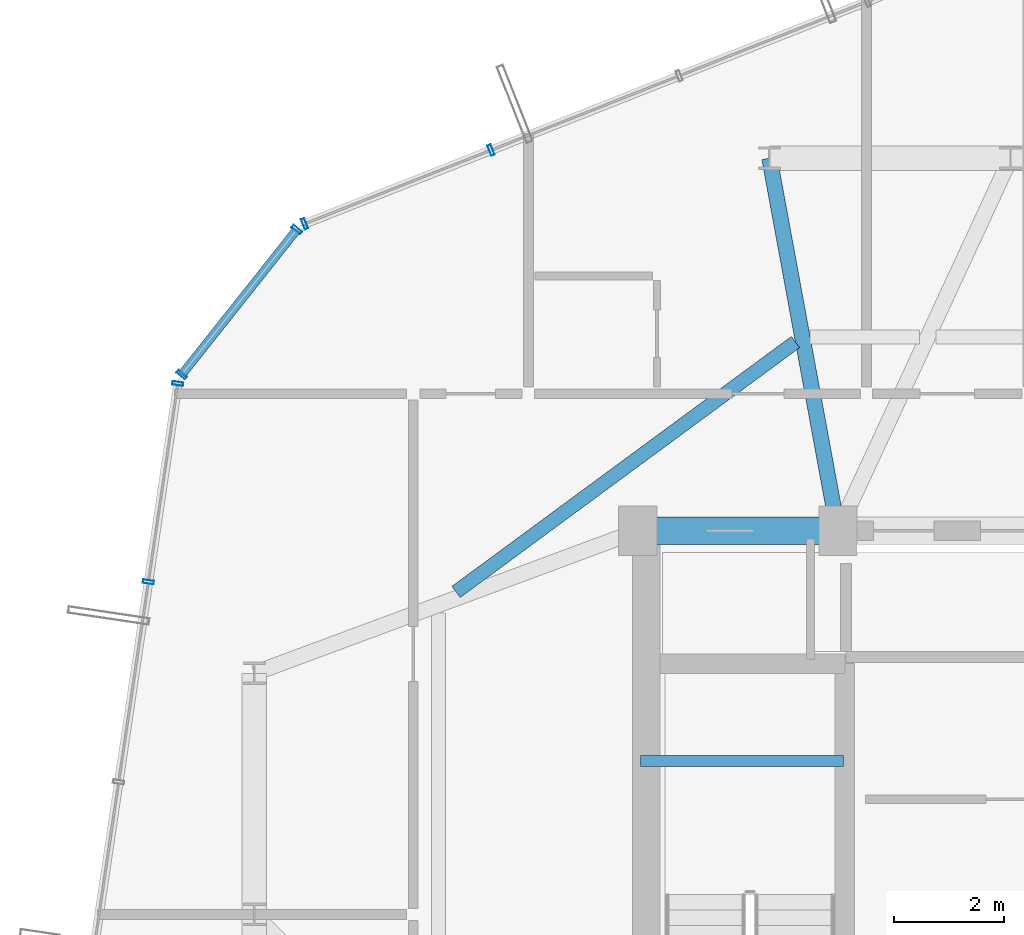
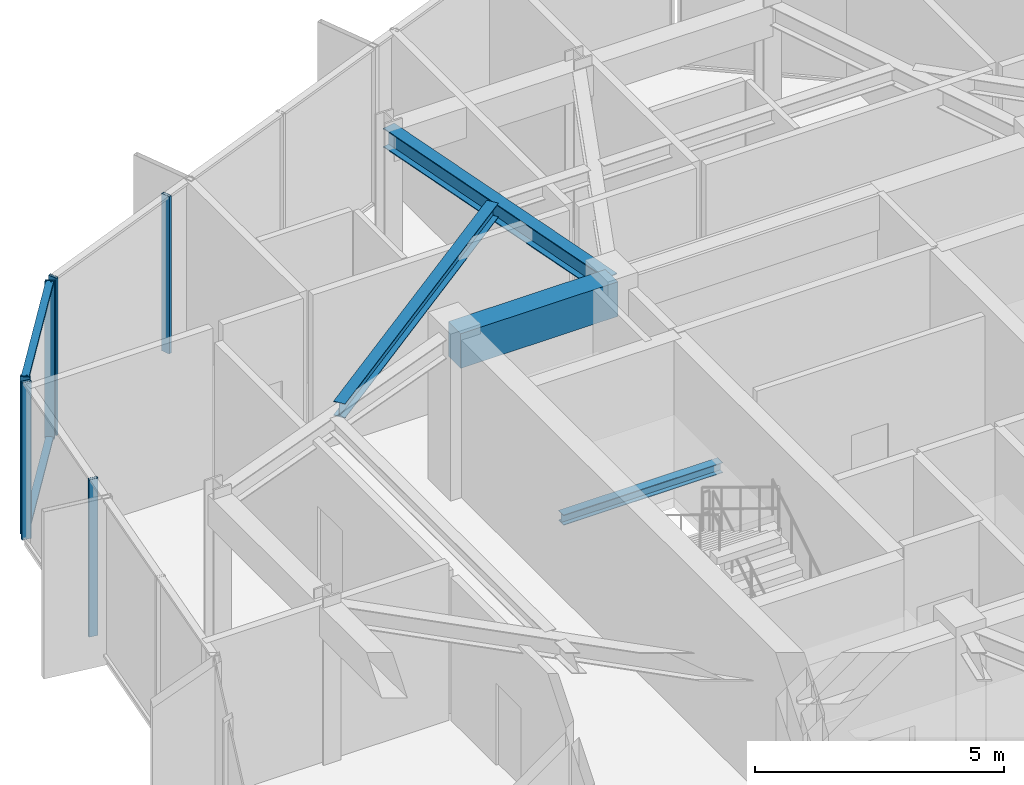
# One storey, part 10 of 22: 8 members, 4 beams, 3 elements without a shape of their own.
"""IFC4 building model written with IfcOpenShell, lengths in metres."""

import ifcopenshell
import ifcopenshell.guid

model = None  # the IFC model being written
_history = None  # IfcOwnerHistory: only IFC2X3 demands one
_inside = {}  # id of a spatial element -> (the spatial element, [elements in it])
_under = {}  # id of a project, library or spatial element -> (it, [spatial elements below it])
_declared = {}  # id of a project -> (the project, [libraries it declares])
_typed = {}  # id of a type object -> (the type object, [elements of that type])
_made_of = {}  # id of a material, layer set ... -> (it, [elements and type objects made of it])


def new_model(schema):
    """Start an empty IFC model of exactly this schema.

    Asked for "IFC4X3", IfcOpenShell would pick the latest addendum, in which some entities
    have other attributes; the version numbers below select the first issue.
    IFC2X3 requires an IfcOwnerHistory on every rooted entity: one is made here for all.
    """
    global model, _history
    if schema == "IFC4X3":
        model = ifcopenshell.file(schema_version=(4, 3, 0, 0))
    else:
        model = ifcopenshell.file(schema=schema)
    _inside.clear()
    _under.clear()
    _declared.clear()
    _typed.clear()
    _made_of.clear()
    _history = None
    if model.schema == "IFC2X3":
        org = make("IfcOrganization", Name="unknown")
        user = make(
            "IfcPersonAndOrganization",
            ThePerson=make("IfcPerson", FamilyName="unknown"),
            TheOrganization=org,
        )
        app = make(
            "IfcApplication",
            ApplicationDeveloper=org,
            Version="unknown",
            ApplicationFullName="unknown",
            ApplicationIdentifier="unknown",
        )
        _history = make(
            "IfcOwnerHistory",
            OwningUser=user,
            OwningApplication=app,
            ChangeAction="ADDED",
            CreationDate=0,
        )
    return model


def make(cls, **values):
    """One entity of the class cls with the attributes given. An attribute that is None is left unset."""
    return model.create_entity(
        cls, **{name: value for name, value in values.items() if value is not None}
    )


def rooted(cls, **values):
    """An entity with a GlobalId (a new one), such as an element, a storey or a relation."""
    return make(cls, GlobalId=ifcopenshell.guid.new(), OwnerHistory=_history, **values)


def si_unit(unit_type, name, prefix=None):
    """IfcSIUnit, for example si_unit("LENGTHUNIT", "METRE", prefix="MILLI")."""
    return make("IfcSIUnit", UnitType=unit_type, Prefix=prefix, Name=name)


def assignment(units):
    """IfcUnitAssignment: the units of a project."""
    return None if units is None else make("IfcUnitAssignment", Units=units)


def point(xyz):
    """IfcCartesianPoint."""
    return None if xyz is None else make("IfcCartesianPoint", Coordinates=xyz)


def direction(xyz):
    """IfcDirection."""
    return None if xyz is None else make("IfcDirection", DirectionRatios=xyz)


def frame(location, z_axis=None, x_axis=None):
    """IfcAxis2Placement3D, a coordinate frame: its origin and axes. An axis left out is left unset."""
    return make(
        "IfcAxis2Placement3D",
        Location=point(location),
        Axis=direction(z_axis),
        RefDirection=direction(x_axis),
    )


def frame_2d(location, x_axis=None):
    """IfcAxis2Placement2D, a coordinate frame in the plane: its origin and x axis."""
    return make(
        "IfcAxis2Placement2D", Location=point(location), RefDirection=direction(x_axis)
    )


def origin():
    """The frame at (0, 0, 0) with its axes left unset."""
    return frame((0.0, 0.0, 0.0))


def origin_2d():
    """The frame at (0, 0) in the plane with its x axis left unset."""
    return frame_2d((0.0, 0.0))


def place(relative_to, where):
    """IfcLocalPlacement: puts the frame where relative to a parent placement (None: the world)."""
    return make(
        "IfcLocalPlacement", PlacementRelTo=relative_to, RelativePlacement=where
    )


def context(
    kind, dimensions, precision=None, world=None, true_north=None, identifier=None
):
    """IfcGeometricRepresentationContext, for example the 3D "Model" context."""
    return make(
        "IfcGeometricRepresentationContext",
        ContextIdentifier=identifier,
        ContextType=kind,
        CoordinateSpaceDimension=dimensions,
        Precision=precision,
        WorldCoordinateSystem=world,
        TrueNorth=true_north,
    )


def subcontext(parent, identifier, kind, view, scale=None):
    """IfcGeometricRepresentationSubContext, for example "Body" below "Model"."""
    return make(
        "IfcGeometricRepresentationSubContext",
        ContextIdentifier=identifier,
        ContextType=kind,
        ParentContext=parent,
        TargetScale=scale,
        TargetView=view,
    )


def project(units=None, contexts=None):
    """IfcProject with its units and contexts."""
    return rooted(
        "IfcProject",
        Name="project",
        RepresentationContexts=contexts,
        UnitsInContext=assignment(units),
    )


def spatial(cls, under=None, at=None, **own):
    """A site, building, storey or space (cls), placed at a placement, below another one or the project."""
    s = rooted(cls, ObjectPlacement=at, **own)
    if under is not None:
        _under.setdefault(under.id(), (under, []))[1].append(s)
    return s


def profile(cls, at=None, kind="AREA", **sizes):
    """A parametric profile (cls). Its sizes go by their IFC names, for example OverallWidth=200.0."""
    return make(cls, ProfileType=kind, Position=at, **sizes)


def rectangle(**sizes):
    """IfcRectangleProfileDef."""
    return profile("IfcRectangleProfileDef", **sizes)


def hollow_rectangle(**sizes):
    """IfcRectangleHollowProfileDef."""
    return profile("IfcRectangleHollowProfileDef", **sizes)


def i_section(**sizes):
    """IfcIShapeProfileDef."""
    return profile("IfcIShapeProfileDef", **sizes)


def extrude(swept, where, along, depth):
    """IfcExtrudedAreaSolid: the profile swept, set in the frame where, extruded along a direction by depth."""
    return make(
        "IfcExtrudedAreaSolid",
        SweptArea=swept,
        Position=where,
        ExtrudedDirection=direction(along),
        Depth=depth,
    )


def shape(context_of_items, identifier, shape_type, items):
    """IfcShapeRepresentation: the items that make up one representation, for example the "Body"."""
    return make(
        "IfcShapeRepresentation",
        ContextOfItems=context_of_items,
        RepresentationIdentifier=identifier,
        RepresentationType=shape_type,
        Items=items,
    )


def source(mapping_origin, context_of_items, identifier, shape_type, items):
    """IfcRepresentationMap: a shape defined once, which mapped items show again and again."""
    return make(
        "IfcRepresentationMap",
        MappingOrigin=mapping_origin,
        MappedRepresentation=shape(context_of_items, identifier, shape_type, items),
    )


def transform(
    local_origin,
    x_axis=None,
    y_axis=None,
    z_axis=None,
    scale=None,
    scale2=None,
    scale3=None,
    uniform=True,
):
    """IfcCartesianTransformationOperator3D, or its non-uniform kind. x_axis, y_axis, z_axis: its Axis1, 2, 3."""
    if uniform:
        return make(
            "IfcCartesianTransformationOperator3D",
            Axis1=direction(x_axis),
            Axis2=direction(y_axis),
            LocalOrigin=point(local_origin),
            Scale=scale,
            Axis3=direction(z_axis),
        )
    return make(
        "IfcCartesianTransformationOperator3DnonUniform",
        Axis1=direction(x_axis),
        Axis2=direction(y_axis),
        LocalOrigin=point(local_origin),
        Scale=scale,
        Axis3=direction(z_axis),
        Scale2=scale2,
        Scale3=scale3,
    )


def mapped(mapping_source, mapping_target):
    """IfcMappedItem: shows the shape of a source again, moved by a transform."""
    return make(
        "IfcMappedItem", MappingSource=mapping_source, MappingTarget=mapping_target
    )


def material(Name=None, Category=None):
    """IfcMaterial."""
    return make("IfcMaterial", Name=Name, Category=Category)


def layer(
    of_material, thickness, ventilated=None, Name=None, Category=None, Priority=None
):
    """IfcMaterialLayer: one layer of a wall or slab, of a material (None: an air gap)."""
    return make(
        "IfcMaterialLayer",
        Material=of_material,
        LayerThickness=thickness,
        IsVentilated=ventilated,
        Name=Name,
        Category=Category,
        Priority=Priority,
    )


def layer_set(layers, Name=None):
    """IfcMaterialLayerSet."""
    return make("IfcMaterialLayerSet", MaterialLayers=layers, LayerSetName=Name)


def material_profile(
    of_material, cross_section, Name=None, Category=None, Priority=None
):
    """IfcMaterialProfile: a cross section and its material."""
    return make(
        "IfcMaterialProfile",
        Name=Name,
        Material=of_material,
        Profile=cross_section,
        Priority=Priority,
        Category=Category,
    )


def profile_set(profiles, Name=None, composite=None):
    """IfcMaterialProfileSet."""
    return make(
        "IfcMaterialProfileSet",
        Name=Name,
        MaterialProfiles=profiles,
        CompositeProfile=composite,
    )


def made_of(thing, what):
    """Note that an element or type object is made of a material, layer set ...; save() writes the relation."""
    if what is not None:
        _made_of.setdefault(what.id(), (what, []))[1].append(thing)
    return thing


def type_object(cls, material=None, **own):
    """A type object (cls), such as IfcWallType, which elements share."""
    return made_of(rooted(cls, **own), material)


def element(
    cls,
    number,
    at=None,
    inside=None,
    cuts=None,
    type_object=None,
    material=None,
    context=None,
    identifier="Body",
    shape_type=None,
    held_by="IfcProductDefinitionShape",
    body=None,
    shapes=None,
    **own,
):
    """One element of the class cls, such as IfcWall. Its Tag is "e" and its number.

    at: its placement. inside: the storey or other place that contains it. cuts: it is an
    opening in that element (IfcRelVoidsElement). A single representation is given by context,
    identifier, shape_type and body (its items); several are given by shapes. held_by: the class
    of the entity that holds the representations. save() writes the other relations.
    """
    e = rooted(cls, Tag="e%d" % number, ObjectPlacement=at, **own)
    if body is not None:
        shapes = [shape(context, identifier, shape_type, body)]
    if shapes is not None:
        e.Representation = make(held_by, Representations=shapes)
    if inside is not None:
        _inside.setdefault(inside.id(), (inside, []))[1].append(e)
    if cuts is not None:
        rooted(
            "IfcRelVoidsElement", RelatingBuildingElement=cuts, RelatedOpeningElement=e
        )
    if type_object is not None:
        _typed.setdefault(type_object.id(), (type_object, []))[1].append(e)
    return made_of(e, material)


def aggregate(whole, parts):
    """IfcRelAggregates: a whole, such as a stair, and the parts it consists of."""
    return rooted("IfcRelAggregates", RelatingObject=whole, RelatedObjects=parts)


def save(model, path):
    """Write the relations noted so far, then the file.

    IfcRelAggregates (storeys below a building ...), IfcRelContainedInSpatialStructure (elements
    in a storey), IfcRelDefinesByType, IfcRelAssociatesMaterial and IfcRelDeclares: one each for
    every whole, place, type object, material and project.
    """
    for whole, parts in _under.values():
        aggregate(whole, parts)
    for where, things in _inside.values():
        rooted(
            "IfcRelContainedInSpatialStructure",
            RelatedElements=things,
            RelatingStructure=where,
        )
    for kind, things in _typed.values():
        rooted("IfcRelDefinesByType", RelatedObjects=things, RelatingType=kind)
    for what, things in _made_of.values():
        rooted("IfcRelAssociatesMaterial", RelatedObjects=things, RelatingMaterial=what)
    for by, libraries in _declared.values():
        rooted("IfcRelDeclares", RelatingContext=by, RelatedDefinitions=libraries)
    model.write(path)


model = new_model("IFC4")

# Units and contexts
model_context = context("Model", 3, precision=1e-05, world=origin(), true_north=direction((0.0, 1.0)))
body_context = subcontext(model_context, "Body", "Model", "MODEL_VIEW")
ifc_project = project(units=[si_unit("LENGTHUNIT", "METRE"), si_unit("AREAUNIT", "SQUARE_METRE"), si_unit("VOLUMEUNIT", "CUBIC_METRE"), si_unit("PLANEANGLEUNIT", "RADIAN"), si_unit("MASSUNIT", "GRAM", prefix="KILO")], contexts=[model_context])

# Site, building, storey
site_placement = place(None, origin())
site = spatial("IfcSite", under=ifc_project, at=site_placement, CompositionType="ELEMENT")
building_placement = place(site_placement, origin())
building = spatial("IfcBuilding", under=site, at=building_placement, Name="Veraguas Prism Commons", CompositionType="ELEMENT")
storey_placement = place(building_placement, frame((0.0, 0.0, 236.550048828125)))
storey = spatial("IfcBuildingStorey", under=building, at=storey_placement, Name="L67", CompositionType="ELEMENT", Elevation=236.550048828125)

# Beams
ifc_material_1 = material(Name="Concrete C50/60", Category="concrete")
ifc_material_profile_1 = material_profile(ifc_material_1, rectangle(XDim=0.5, YDim=0.85009765625, at=origin_2d()), Name="RC500X850")
ifc_profile_set_1 = profile_set([ifc_material_profile_1], Name="Concrete C50/60")
beam_type_1 = type_object("IfcBeamType", Name="Core Coupling Beam RC 500x850", PredefinedType="BEAM", material=ifc_profile_set_1)
beam_1_placement = place(storey_placement, frame((17.199951171875, 31.0, 3.43994140625), z_axis=(1.0, 0.0, 0.0), x_axis=(0.0, 1.0, 0.0)))
element("IfcBeam", 1, at=beam_1_placement, inside=storey, type_object=beam_type_1, Name="Core Coupling Beam L67-CRN1", PredefinedType="BEAM", context=body_context, shape_type="SweptSolid", body=[
    extrude(rectangle(XDim=0.5, YDim=0.85009765625, at=origin_2d()), origin(), (0.0, 0.0, 1.0), 3.650146484375),
])
ifc_material_2 = material(Name="Steel ASTM A992 Grade 50", Category="steel")
ifc_material_profile_2 = material_profile(ifc_material_2, i_section(OverallWidth=0.202880859375, OverallDepth=0.251953125, WebThickness=0.008056640625, FlangeThickness=0.013427734375, at=origin_2d()), Name="W250X58")
ifc_profile_set_2 = profile_set([ifc_material_profile_2], Name="Steel ASTM A992 Grade 50")
beam_type_2 = type_object("IfcBeamType", Name="Structural Opening Lintel W250x58", PredefinedType="LINTEL", material=ifc_profile_set_2)
beam_2_placement = place(storey_placement, frame((17.25, 26.800048828125, 1.723876953125), z_axis=(1.0, 0.0, 0.0), x_axis=(0.0, 1.0, 0.0)))
element("IfcBeam", 2, at=beam_2_placement, inside=storey, type_object=beam_type_2, Name="Stair ST-01 Half-Landing Support Beam L67-1", PredefinedType="LINTEL", context=body_context, shape_type="SweptSolid", body=[
    extrude(i_section(OverallWidth=0.202880859375, OverallDepth=0.251953125, WebThickness=0.008056640625, FlangeThickness=0.013427734375, at=origin_2d()), origin(), (0.0, 0.0, 1.0), 3.699951171875),
])
ifc_material_profile_3 = material_profile(ifc_material_2, i_section(OverallWidth=0.25390625, OverallDepth=0.35302734375, WebThickness=0.009521484375, FlangeThickness=0.016357421875, at=origin_2d()), Name="W360X91")
ifc_profile_set_3 = profile_set([ifc_material_profile_3], Name="Steel ASTM A992 Grade 50")
beam_type_3 = type_object("IfcBeamType", Name="Upper Floor Joist W360x91", PredefinedType="JOIST", material=ifc_profile_set_3)
beam_3_placement = place(storey_placement, frame((20.0751953125, 34.444091796875, 3.6884765625), z_axis=(-0.805319835229, -0.592840588174, 0.0), x_axis=(0.592840588174, -0.805319835229, 0.0)))
element("IfcBeam", 3, at=beam_3_placement, inside=storey, type_object=beam_type_3, Name="Composite Floor Joist L67-JS06", PredefinedType="JOIST", context=body_context, shape_type="SweptSolid", body=[
    extrude(i_section(OverallWidth=0.25390625, OverallDepth=0.35302734375, WebThickness=0.009521484375, FlangeThickness=0.016357421875, at=origin_2d()), origin(), (0.0, 0.0, 1.0), 7.69140625),
])
ifc_material_profile_4 = material_profile(ifc_material_2, i_section(OverallWidth=0.282958984375, OverallDepth=0.471923828125, WebThickness=0.013671875, FlangeThickness=0.022216796875, at=origin_2d()), Name="W460X144")
ifc_profile_set_4 = profile_set([ifc_material_profile_4], Name="Steel ASTM A992 Grade 50")
beam_type_4 = type_object("IfcBeamType", Name="Zone 4 Radial Girder W460x144", PredefinedType="BEAM", material=ifc_profile_set_4)
beam_4_placement = place(storey_placement, frame((19.60009765625, 37.800048828125, 3.62890625), z_axis=(0.180793033327, -0.983521163524, 0.0), x_axis=(0.983521163524, 0.180793033327, 0.0)))
element("IfcBeam", 4, at=beam_4_placement, inside=storey, type_object=beam_type_4, Name="Radial Floor Girder L67-RD06", PredefinedType="BEAM", context=body_context, shape_type="SweptSolid", body=[
    extrude(i_section(OverallWidth=0.282958984375, OverallDepth=0.471923828125, WebThickness=0.013671875, FlangeThickness=0.022216796875, at=origin_2d()), origin(), (0.0, 0.0, 1.0), 6.9140625),
])

# Curtain wall, members
ifc_material_3 = material(Name="Anodised aluminium EN AW-6063 T6", Category="aluminium")
ifc_layer = layer(ifc_material_3, 0.199951171875, Name="Sky Lobby and Pool Acoustic Curtain Wall", Category="aluminium")
ifc_layer_set = layer_set([ifc_layer], Name="Anodised aluminium EN AW-6063 T6")
curtain_wall_type = type_object("IfcCurtainWallType", Name="Sky Lobby and Pool Acoustic Curtain Wall", PredefinedType="NOTDEFINED", material=ifc_layer_set)
curtain_wall_1_placement = place(storey_placement, origin())
curtain_wall_1 = element("IfcCurtainWall", 5, at=curtain_wall_1_placement, inside=storey, type_object=curtain_wall_type, Name="Tower Facade Curtain Wall L67-F2", PredefinedType="NOTDEFINED")
ifc_material_profile_5 = material_profile(ifc_material_3, hollow_rectangle(XDim=0.06494140625, YDim=0.199951171875, WallThickness=0.00390625, at=origin_2d()), Name="AL65X200X4")
ifc_profile_set_5 = profile_set([ifc_material_profile_5], Name="Anodised aluminium EN AW-6063 T6")
member_type_1 = type_object("IfcMemberType", Name="Curtain Wall Mullion Heavy AL 65x200x4", PredefinedType="MULLION", material=ifc_profile_set_5)
shared_shape_1 = source(origin(), body_context, "Body", "SweptSolid", [
    extrude(hollow_rectangle(XDim=0.06494140625, YDim=0.199951171875, WallThickness=0.00390625, at=origin_2d()), origin(), (0.0, 0.0, 1.0), 3.864990234375),
])
member_1_placement = place(storey_placement, frame((14.52001953125, 37.946533203125, 0.0), z_axis=(0.0, 0.0, 1.0), x_axis=(-0.930030051844, -0.367483472645, 0.0)))
member_1 = element("IfcMember", 6, at=member_1_placement, type_object=member_type_1, Name="CW-SKY Mullion 4", PredefinedType="MULLION", context=body_context, shape_type="MappedRepresentation", body=[
    mapped(shared_shape_1, transform((0.0, 0.0, 0.0), scale=1.0)),
])
member_2_placement = place(storey_placement, frame((11.116943359375, 36.60205078125, 0.0), z_axis=(0.0, 0.0, 1.0), x_axis=(-0.930030051844, -0.367483472645, 0.0)))
member_2 = element("IfcMember", 7, at=member_2_placement, type_object=member_type_1, Name="CW-SKY Mullion 5", PredefinedType="MULLION", context=body_context, shape_type="MappedRepresentation", body=[
    mapped(shared_shape_1, transform((0.0, 0.0, 0.0), scale=1.0)),
])
aggregate(curtain_wall_1, [member_1, member_2])

curtain_wall_2_placement = place(storey_placement, origin())
curtain_wall_2 = element("IfcCurtainWall", 8, at=curtain_wall_2_placement, inside=storey, type_object=curtain_wall_type, Name="Tower Facade Curtain Wall L67-F3", PredefinedType="NOTDEFINED")
member_3_placement = place(storey_placement, frame((8.802734375, 33.68603515625, 0.0), z_axis=(0.0, 0.0, 1.0), x_axis=(-0.146773635283, -0.989170106698, 0.0)))
member_3 = element("IfcMember", 9, at=member_3_placement, type_object=member_type_1, Name="CW-SKY Mullion 1", PredefinedType="MULLION", context=body_context, shape_type="MappedRepresentation", body=[
    mapped(shared_shape_1, transform((0.0, 0.0, 0.0), scale=1.0)),
])
member_4_placement = place(storey_placement, frame((8.265625, 30.066650390625, 0.0), z_axis=(0.0, 0.0, 1.0), x_axis=(-0.146773635283, -0.989170106698, 0.0)))
member_4 = element("IfcMember", 10, at=member_4_placement, type_object=member_type_1, Name="CW-SKY Mullion 2", PredefinedType="MULLION", context=body_context, shape_type="MappedRepresentation", body=[
    mapped(shared_shape_1, transform((0.0, 0.0, 0.0), scale=1.0)),
])
aggregate(curtain_wall_2, [member_3, member_4])

curtain_wall_3_placement = place(storey_placement, origin())
curtain_wall_3 = element("IfcCurtainWall", 11, at=curtain_wall_3_placement, inside=storey, type_object=curtain_wall_type, Name="Chamfer Curtain Wall L67-C3", PredefinedType="NOTDEFINED")
member_5_placement = place(storey_placement, frame((10.973388671875, 36.49560546875, 0.0), z_axis=(0.0, 0.0, 1.0), x_axis=(-0.621707053447, -0.783249857769, 0.0)))
member_5 = element("IfcMember", 12, at=member_5_placement, type_object=member_type_1, Name="CW-SKY Mullion 1", PredefinedType="MULLION", context=body_context, shape_type="MappedRepresentation", body=[
    mapped(shared_shape_1, transform((0.0, 0.0, 0.0), scale=1.0)),
])
member_6_placement = place(storey_placement, frame((8.873779296875, 33.85009765625, 0.0), z_axis=(0.0, 0.0, 1.0), x_axis=(-0.621707053447, -0.783249857769, 0.0)))
member_6 = element("IfcMember", 13, at=member_6_placement, type_object=member_type_1, Name="CW-SKY Mullion 2", PredefinedType="MULLION", context=body_context, shape_type="MappedRepresentation", body=[
    mapped(shared_shape_1, transform((0.0, 0.0, 0.0), scale=1.0)),
])
ifc_material_profile_6 = material_profile(ifc_material_3, hollow_rectangle(XDim=0.06005859375, YDim=0.159912109375, WallThickness=0.0029296875, at=origin_2d()), Name="AL60X160X3")
ifc_profile_set_6 = profile_set([ifc_material_profile_6], Name="Anodised aluminium EN AW-6063 T6")
member_type_2 = type_object("IfcMemberType", Name="Curtain Wall Transom Heavy AL 60x160x3", PredefinedType="USERDEFINED", material=ifc_profile_set_6)
shared_shape_2 = source(origin(), body_context, "Body", "SweptSolid", [
    extrude(hollow_rectangle(XDim=0.06005859375, YDim=0.159912109375, WallThickness=0.0029296875, at=origin_2d()), origin(), (0.0, 0.0, 1.0), 3.37744140625),
])
member_7_placement = place(storey_placement, frame((10.973388671875, 36.49560546875, 0.030029296875), z_axis=(-0.621657859564, -0.783288903051, 0.0), x_axis=(0.0, 0.0, 1.0)))
member_7 = element("IfcMember", 14, at=member_7_placement, type_object=member_type_2, Name="CW-SKY Transom 1", ObjectType="TRANSOM", PredefinedType="USERDEFINED", context=body_context, shape_type="MappedRepresentation", body=[
    mapped(shared_shape_2, transform((0.0, 0.0, 0.0), scale=1.0)),
])
member_8_placement = place(storey_placement, frame((10.973388671875, 36.49560546875, 3.8349609375), z_axis=(-0.621657859564, -0.783288903051, 0.0), x_axis=(0.0, 0.0, 1.0)))
member_8 = element("IfcMember", 15, at=member_8_placement, type_object=member_type_2, Name="CW-SKY Transom 2", ObjectType="TRANSOM", PredefinedType="USERDEFINED", context=body_context, shape_type="MappedRepresentation", body=[
    mapped(shared_shape_2, transform((0.0, 0.0, 0.0), scale=1.0)),
])
aggregate(curtain_wall_3, [member_5, member_6, member_7, member_8])

save(model, "model.ifc")
